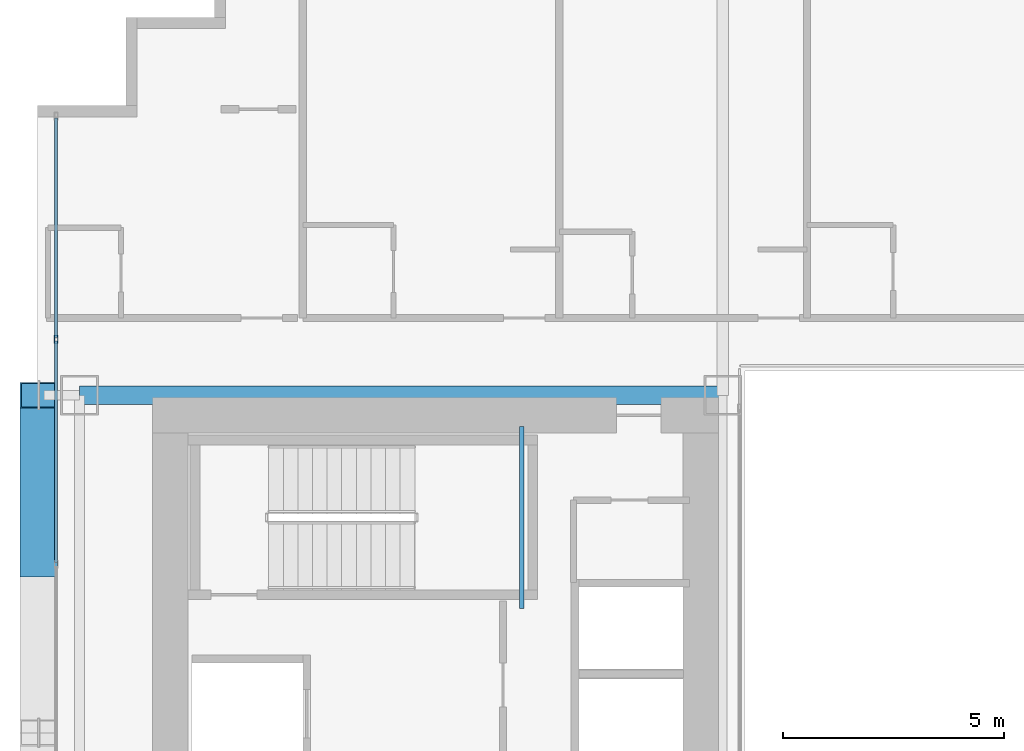
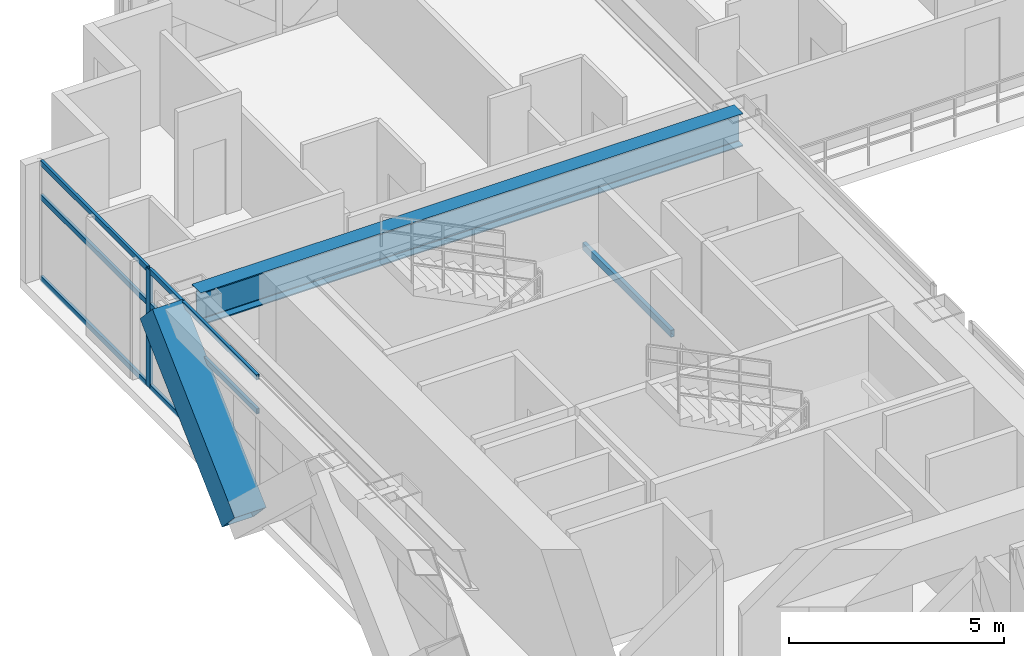
# One storey, part 19 of 41: 8 members, 2 beams, 1 element without a shape of its own.
"""IFC4 building model written with IfcOpenShell, lengths in metres."""

import ifcopenshell
import ifcopenshell.guid

model = None  # the IFC model being written
_history = None  # IfcOwnerHistory: only IFC2X3 demands one
_inside = {}  # id of a spatial element -> (the spatial element, [elements in it])
_under = {}  # id of a project, library or spatial element -> (it, [spatial elements below it])
_declared = {}  # id of a project -> (the project, [libraries it declares])
_typed = {}  # id of a type object -> (the type object, [elements of that type])
_made_of = {}  # id of a material, layer set ... -> (it, [elements and type objects made of it])


def new_model(schema):
    """Start an empty IFC model of exactly this schema.

    Asked for "IFC4X3", IfcOpenShell would pick the latest addendum, in which some entities
    have other attributes; the version numbers below select the first issue.
    IFC2X3 requires an IfcOwnerHistory on every rooted entity: one is made here for all.
    """
    global model, _history
    if schema == "IFC4X3":
        model = ifcopenshell.file(schema_version=(4, 3, 0, 0))
    else:
        model = ifcopenshell.file(schema=schema)
    _inside.clear()
    _under.clear()
    _declared.clear()
    _typed.clear()
    _made_of.clear()
    _history = None
    if model.schema == "IFC2X3":
        org = make("IfcOrganization", Name="unknown")
        user = make(
            "IfcPersonAndOrganization",
            ThePerson=make("IfcPerson", FamilyName="unknown"),
            TheOrganization=org,
        )
        app = make(
            "IfcApplication",
            ApplicationDeveloper=org,
            Version="unknown",
            ApplicationFullName="unknown",
            ApplicationIdentifier="unknown",
        )
        _history = make(
            "IfcOwnerHistory",
            OwningUser=user,
            OwningApplication=app,
            ChangeAction="ADDED",
            CreationDate=0,
        )
    return model


def make(cls, **values):
    """One entity of the class cls with the attributes given. An attribute that is None is left unset."""
    return model.create_entity(
        cls, **{name: value for name, value in values.items() if value is not None}
    )


def rooted(cls, **values):
    """An entity with a GlobalId (a new one), such as an element, a storey or a relation."""
    return make(cls, GlobalId=ifcopenshell.guid.new(), OwnerHistory=_history, **values)


def si_unit(unit_type, name, prefix=None):
    """IfcSIUnit, for example si_unit("LENGTHUNIT", "METRE", prefix="MILLI")."""
    return make("IfcSIUnit", UnitType=unit_type, Prefix=prefix, Name=name)


def assignment(units):
    """IfcUnitAssignment: the units of a project."""
    return None if units is None else make("IfcUnitAssignment", Units=units)


def point(xyz):
    """IfcCartesianPoint."""
    return None if xyz is None else make("IfcCartesianPoint", Coordinates=xyz)


def direction(xyz):
    """IfcDirection."""
    return None if xyz is None else make("IfcDirection", DirectionRatios=xyz)


def frame(location, z_axis=None, x_axis=None):
    """IfcAxis2Placement3D, a coordinate frame: its origin and axes. An axis left out is left unset."""
    return make(
        "IfcAxis2Placement3D",
        Location=point(location),
        Axis=direction(z_axis),
        RefDirection=direction(x_axis),
    )


def frame_2d(location, x_axis=None):
    """IfcAxis2Placement2D, a coordinate frame in the plane: its origin and x axis."""
    return make(
        "IfcAxis2Placement2D", Location=point(location), RefDirection=direction(x_axis)
    )


def origin():
    """The frame at (0, 0, 0) with its axes left unset."""
    return frame((0.0, 0.0, 0.0))


def origin_2d():
    """The frame at (0, 0) in the plane with its x axis left unset."""
    return frame_2d((0.0, 0.0))


def place(relative_to, where):
    """IfcLocalPlacement: puts the frame where relative to a parent placement (None: the world)."""
    return make(
        "IfcLocalPlacement", PlacementRelTo=relative_to, RelativePlacement=where
    )


def context(
    kind, dimensions, precision=None, world=None, true_north=None, identifier=None
):
    """IfcGeometricRepresentationContext, for example the 3D "Model" context."""
    return make(
        "IfcGeometricRepresentationContext",
        ContextIdentifier=identifier,
        ContextType=kind,
        CoordinateSpaceDimension=dimensions,
        Precision=precision,
        WorldCoordinateSystem=world,
        TrueNorth=true_north,
    )


def subcontext(parent, identifier, kind, view, scale=None):
    """IfcGeometricRepresentationSubContext, for example "Body" below "Model"."""
    return make(
        "IfcGeometricRepresentationSubContext",
        ContextIdentifier=identifier,
        ContextType=kind,
        ParentContext=parent,
        TargetScale=scale,
        TargetView=view,
    )


def project(units=None, contexts=None):
    """IfcProject with its units and contexts."""
    return rooted(
        "IfcProject",
        Name="project",
        RepresentationContexts=contexts,
        UnitsInContext=assignment(units),
    )


def spatial(cls, under=None, at=None, **own):
    """A site, building, storey or space (cls), placed at a placement, below another one or the project."""
    s = rooted(cls, ObjectPlacement=at, **own)
    if under is not None:
        _under.setdefault(under.id(), (under, []))[1].append(s)
    return s


def profile(cls, at=None, kind="AREA", **sizes):
    """A parametric profile (cls). Its sizes go by their IFC names, for example OverallWidth=200.0."""
    return make(cls, ProfileType=kind, Position=at, **sizes)


def hollow_rectangle(**sizes):
    """IfcRectangleHollowProfileDef."""
    return profile("IfcRectangleHollowProfileDef", **sizes)


def i_section(**sizes):
    """IfcIShapeProfileDef."""
    return profile("IfcIShapeProfileDef", **sizes)


def extrude(swept, where, along, depth):
    """IfcExtrudedAreaSolid: the profile swept, set in the frame where, extruded along a direction by depth."""
    return make(
        "IfcExtrudedAreaSolid",
        SweptArea=swept,
        Position=where,
        ExtrudedDirection=direction(along),
        Depth=depth,
    )


def shape(context_of_items, identifier, shape_type, items):
    """IfcShapeRepresentation: the items that make up one representation, for example the "Body"."""
    return make(
        "IfcShapeRepresentation",
        ContextOfItems=context_of_items,
        RepresentationIdentifier=identifier,
        RepresentationType=shape_type,
        Items=items,
    )


def source(mapping_origin, context_of_items, identifier, shape_type, items):
    """IfcRepresentationMap: a shape defined once, which mapped items show again and again."""
    return make(
        "IfcRepresentationMap",
        MappingOrigin=mapping_origin,
        MappedRepresentation=shape(context_of_items, identifier, shape_type, items),
    )


def transform(
    local_origin,
    x_axis=None,
    y_axis=None,
    z_axis=None,
    scale=None,
    scale2=None,
    scale3=None,
    uniform=True,
):
    """IfcCartesianTransformationOperator3D, or its non-uniform kind. x_axis, y_axis, z_axis: its Axis1, 2, 3."""
    if uniform:
        return make(
            "IfcCartesianTransformationOperator3D",
            Axis1=direction(x_axis),
            Axis2=direction(y_axis),
            LocalOrigin=point(local_origin),
            Scale=scale,
            Axis3=direction(z_axis),
        )
    return make(
        "IfcCartesianTransformationOperator3DnonUniform",
        Axis1=direction(x_axis),
        Axis2=direction(y_axis),
        LocalOrigin=point(local_origin),
        Scale=scale,
        Axis3=direction(z_axis),
        Scale2=scale2,
        Scale3=scale3,
    )


def mapped(mapping_source, mapping_target):
    """IfcMappedItem: shows the shape of a source again, moved by a transform."""
    return make(
        "IfcMappedItem", MappingSource=mapping_source, MappingTarget=mapping_target
    )


def material(Name=None, Category=None):
    """IfcMaterial."""
    return make("IfcMaterial", Name=Name, Category=Category)


def layer(
    of_material, thickness, ventilated=None, Name=None, Category=None, Priority=None
):
    """IfcMaterialLayer: one layer of a wall or slab, of a material (None: an air gap)."""
    return make(
        "IfcMaterialLayer",
        Material=of_material,
        LayerThickness=thickness,
        IsVentilated=ventilated,
        Name=Name,
        Category=Category,
        Priority=Priority,
    )


def layer_set(layers, Name=None):
    """IfcMaterialLayerSet."""
    return make("IfcMaterialLayerSet", MaterialLayers=layers, LayerSetName=Name)


def material_profile(
    of_material, cross_section, Name=None, Category=None, Priority=None
):
    """IfcMaterialProfile: a cross section and its material."""
    return make(
        "IfcMaterialProfile",
        Name=Name,
        Material=of_material,
        Profile=cross_section,
        Priority=Priority,
        Category=Category,
    )


def profile_set(profiles, Name=None, composite=None):
    """IfcMaterialProfileSet."""
    return make(
        "IfcMaterialProfileSet",
        Name=Name,
        MaterialProfiles=profiles,
        CompositeProfile=composite,
    )


def made_of(thing, what):
    """Note that an element or type object is made of a material, layer set ...; save() writes the relation."""
    if what is not None:
        _made_of.setdefault(what.id(), (what, []))[1].append(thing)
    return thing


def type_object(cls, material=None, **own):
    """A type object (cls), such as IfcWallType, which elements share."""
    return made_of(rooted(cls, **own), material)


def element(
    cls,
    number,
    at=None,
    inside=None,
    cuts=None,
    type_object=None,
    material=None,
    context=None,
    identifier="Body",
    shape_type=None,
    held_by="IfcProductDefinitionShape",
    body=None,
    shapes=None,
    **own,
):
    """One element of the class cls, such as IfcWall. Its Tag is "e" and its number.

    at: its placement. inside: the storey or other place that contains it. cuts: it is an
    opening in that element (IfcRelVoidsElement). A single representation is given by context,
    identifier, shape_type and body (its items); several are given by shapes. held_by: the class
    of the entity that holds the representations. save() writes the other relations.
    """
    e = rooted(cls, Tag="e%d" % number, ObjectPlacement=at, **own)
    if body is not None:
        shapes = [shape(context, identifier, shape_type, body)]
    if shapes is not None:
        e.Representation = make(held_by, Representations=shapes)
    if inside is not None:
        _inside.setdefault(inside.id(), (inside, []))[1].append(e)
    if cuts is not None:
        rooted(
            "IfcRelVoidsElement", RelatingBuildingElement=cuts, RelatedOpeningElement=e
        )
    if type_object is not None:
        _typed.setdefault(type_object.id(), (type_object, []))[1].append(e)
    return made_of(e, material)


def aggregate(whole, parts):
    """IfcRelAggregates: a whole, such as a stair, and the parts it consists of."""
    return rooted("IfcRelAggregates", RelatingObject=whole, RelatedObjects=parts)


def save(model, path):
    """Write the relations noted so far, then the file.

    IfcRelAggregates (storeys below a building ...), IfcRelContainedInSpatialStructure (elements
    in a storey), IfcRelDefinesByType, IfcRelAssociatesMaterial and IfcRelDeclares: one each for
    every whole, place, type object, material and project.
    """
    for whole, parts in _under.values():
        aggregate(whole, parts)
    for where, things in _inside.values():
        rooted(
            "IfcRelContainedInSpatialStructure",
            RelatedElements=things,
            RelatingStructure=where,
        )
    for kind, things in _typed.values():
        rooted("IfcRelDefinesByType", RelatedObjects=things, RelatingType=kind)
    for what, things in _made_of.values():
        rooted("IfcRelAssociatesMaterial", RelatedObjects=things, RelatingMaterial=what)
    for by, libraries in _declared.values():
        rooted("IfcRelDeclares", RelatingContext=by, RelatedDefinitions=libraries)
    model.write(path)


model = new_model("IFC4")

# Units and contexts
model_context = context("Model", 3, precision=1e-05, world=origin(), true_north=direction((0.0, 1.0)))
body_context = subcontext(model_context, "Body", "Model", "MODEL_VIEW")
ifc_project = project(units=[si_unit("LENGTHUNIT", "METRE"), si_unit("AREAUNIT", "SQUARE_METRE"), si_unit("VOLUMEUNIT", "CUBIC_METRE"), si_unit("PLANEANGLEUNIT", "RADIAN"), si_unit("MASSUNIT", "GRAM", prefix="KILO")], contexts=[model_context])

# Site, building, storey
site_placement = place(None, origin())
site = spatial("IfcSite", under=ifc_project, at=site_placement, CompositionType="ELEMENT")
building_placement = place(site_placement, origin())
building = spatial("IfcBuilding", under=site, at=building_placement, Name="Ocotamira Hotel", CompositionType="ELEMENT")
storey_placement = place(building_placement, frame((0.0, 0.0, 52.800048828125)))
storey = spatial("IfcBuildingStorey", under=building, at=storey_placement, Name="L12", CompositionType="ELEMENT", Elevation=52.800048828125)

# Beams
ifc_material_1 = material(Name="Steel ASTM A500 Grade C", Category="steel")
ifc_material_profile_1 = material_profile(ifc_material_1, hollow_rectangle(XDim=0.10009765625, YDim=0.199951171875, WallThickness=0.008056640625, at=origin_2d()), Name="HSS200X100X8")
ifc_profile_set_1 = profile_set([ifc_material_profile_1], Name="Steel ASTM A500 Grade C")
beam_type_1 = type_object("IfcBeamType", Name="BM-STLDG-HSS200", PredefinedType="BEAM", material=ifc_profile_set_1)
shared_shape_1 = source(origin(), body_context, "Body", "SweptSolid", [
    extrude(hollow_rectangle(XDim=0.10009765625, YDim=0.199951171875, WallThickness=0.008056640625, at=origin_2d()), origin(), (0.0, 0.0, 1.0), 4.1201171875),
])
beam_1_placement = place(storey_placement, frame((18.949951171875, 32.6298828125, 1.5), z_axis=(0.0, 1.0, 0.0), x_axis=(-1.0, 0.0, 0.0)))
element("IfcBeam", 1, at=beam_1_placement, inside=storey, type_object=beam_type_1, Name="L12 Stair ST-2 Landing Bearer 1", PredefinedType="BEAM", context=body_context, shape_type="MappedRepresentation", body=[
    mapped(shared_shape_1, transform((0.0, 0.0, 0.0), scale=1.0)),
])
ifc_material_2 = material(Name="Steel ASTM A992 Grade 50", Category="steel")
ifc_material_profile_2 = material_profile(ifc_material_2, i_section(OverallWidth=0.41796875, OverallDepth=0.927001953125, WebThickness=0.019287109375, FlangeThickness=0.031982421875, FilletRadius=0.02392578125, at=origin_2d()), Name="W36X231")
ifc_profile_set_2 = profile_set([ifc_material_profile_2], Name="Steel ASTM A992 Grade 50")
beam_type_2 = type_object("IfcBeamType", Name="BM-GIRD-W36X231", PredefinedType="BEAM", material=ifc_profile_set_2)
shared_shape_2 = source(origin(), body_context, "Body", "SweptSolid", [
    extrude(i_section(OverallWidth=0.41796875, OverallDepth=0.927001953125, WebThickness=0.019287109375, FlangeThickness=0.031982421875, FilletRadius=0.02392578125, at=origin_2d()), origin(), (0.0, 0.0, 1.0), 14.550048828125),
])
beam_2_placement = place(storey_placement, frame((8.949951171875, 37.449951171875, 2.886474609375), z_axis=(1.0, 0.0, 0.0), x_axis=(0.0, 1.0, 0.0)))
element("IfcBeam", 2, at=beam_2_placement, inside=storey, type_object=beam_type_2, Name="L12 Girder Y37.45 X8.95-23.5", PredefinedType="BEAM", context=body_context, shape_type="MappedRepresentation", body=[
    mapped(shared_shape_2, transform((0.0, 0.0, 0.0), scale=1.0)),
])

# Member
ifc_material_3 = material(Name="Pale-metal coated steel ASTM A913 Grade 65", Category="steel")
ifc_material_profile_3 = material_profile(ifc_material_3, hollow_rectangle(XDim=0.85009765625, YDim=0.85009765625, WallThickness=0.035888671875, at=origin_2d()), Name="BOX850X850X36")
ifc_profile_set_3 = profile_set([ifc_material_profile_3], Name="Pale-metal coated steel ASTM A913 Grade 65")
member_type_1 = type_object("IfcMemberType", Name="MEM-EXO-BOX850", PredefinedType="BRACE", material=ifc_profile_set_3)
shared_shape_3 = source(origin(), body_context, "Body", "SweptSolid", [
    extrude(hollow_rectangle(XDim=0.85009765625, YDim=0.85009765625, WallThickness=0.035888671875, at=origin_2d()), origin(), (0.0, 0.0, 1.0), 5.24658203125),
])
member_1_placement = place(storey_placement, frame((8.030029296875, 33.63330078125, -0.5), z_axis=(0.0, 0.72746596067, 0.686143772154), x_axis=(-1.0, 0.0, 0.0)))
element("IfcMember", 3, at=member_1_placement, inside=storey, type_object=member_type_1, Name="L12 Exoskeleton Diagrid W2.2", PredefinedType="BRACE", context=body_context, shape_type="MappedRepresentation", body=[
    mapped(shared_shape_3, transform((0.0, 0.0, 0.0), scale=1.0)),
])

# Curtain wall, members
ifc_material_4 = material(Name="Anodised pale-metal aluminium and solar glass", Category="aluminium")
ifc_layer = layer(ifc_material_4, 0.179931640625)
ifc_layer_set = layer_set([ifc_layer], Name="Anodised pale-metal aluminium and solar glass")
curtain_wall_type = type_object("IfcCurtainWallType", Name="CW-SYS2-Z1", PredefinedType="NOTDEFINED", material=ifc_layer_set)
curtain_wall_placement = place(storey_placement, origin())
curtain_wall = element("IfcCurtainWall", 4, at=curtain_wall_placement, inside=storey, type_object=curtain_wall_type, Name="L12 Curtain Wall CW-2 CW-L12-W", PredefinedType="NOTDEFINED")
ifc_material_5 = material(Name="Anodised pale-metal aluminium 6063-T6", Category="aluminium")
ifc_material_profile_4 = material_profile(ifc_material_5, hollow_rectangle(XDim=0.080078125, YDim=0.179931640625, WallThickness=0.006103515625, at=origin_2d()), Name="HSS180X80X6")
ifc_profile_set_4 = profile_set([ifc_material_profile_4], Name="Anodised pale-metal aluminium 6063-T6")
member_type_2 = type_object("IfcMemberType", Name="CWM-180X75", PredefinedType="MULLION", material=ifc_profile_set_4)
shared_shape_4 = source(origin(), body_context, "Body", "SweptSolid", [
    extrude(hollow_rectangle(XDim=0.080078125, YDim=0.179931640625, WallThickness=0.006103515625, at=origin_2d()), origin(), (0.0, 0.0, 1.0), 3.349853515625),
])
member_2_placement = place(storey_placement, frame((8.419921875, 38.71435546875, 0.0), z_axis=(0.0, 0.0, 1.0), x_axis=(-1.0, 0.0, 0.0)))
member_2 = element("IfcMember", 5, at=member_2_placement, type_object=member_type_2, Name="CW-2 mullion 7", PredefinedType="MULLION", context=body_context, shape_type="MappedRepresentation", body=[
    mapped(shared_shape_4, transform((0.0, 0.0, 0.0), scale=1.0)),
])
ifc_material_profile_5 = material_profile(ifc_material_5, hollow_rectangle(XDim=0.074951171875, YDim=0.14990234375, WallThickness=0.006103515625, at=origin_2d()), Name="HSS150X75X6")
ifc_profile_set_5 = profile_set([ifc_material_profile_5], Name="Anodised pale-metal aluminium 6063-T6")
member_type_3 = type_object("IfcMemberType", Name="CWT-150X75", PredefinedType="USERDEFINED", material=ifc_profile_set_5)
shared_shape_5 = source(origin(), body_context, "Body", "SweptSolid", [
    extrude(hollow_rectangle(XDim=0.074951171875, YDim=0.14990234375, WallThickness=0.006103515625, at=origin_2d()), origin(), (0.0, 0.0, 1.0), 4.965576171875),
])
member_3_placement = place(storey_placement, frame((8.419921875, 38.75439453125, 0.037353515625), z_axis=(0.0, 1.0, 0.0), x_axis=(-1.0, 0.0, 0.0)))
member_3 = element("IfcMember", 6, at=member_3_placement, type_object=member_type_3, Name="CW-2 transom 7.1", ObjectType="TRANSOM", PredefinedType="USERDEFINED", context=body_context, shape_type="MappedRepresentation", body=[
    mapped(shared_shape_5, transform((0.0, 0.0, 0.0), scale=1.0)),
])
member_4_placement = place(storey_placement, frame((8.419921875, 38.75439453125, 2.349853515625), z_axis=(0.0, 1.0, 0.0), x_axis=(-1.0, 0.0, 0.0)))
member_4 = element("IfcMember", 7, at=member_4_placement, type_object=member_type_3, Name="CW-2 transom 7.2", ObjectType="TRANSOM", PredefinedType="USERDEFINED", context=body_context, shape_type="MappedRepresentation", body=[
    mapped(shared_shape_5, transform((0.0, 0.0, 0.0), scale=1.0)),
])
member_5_placement = place(storey_placement, frame((8.419921875, 38.75439453125, 3.3125), z_axis=(0.0, 1.0, 0.0), x_axis=(-1.0, 0.0, 0.0)))
member_5 = element("IfcMember", 8, at=member_5_placement, type_object=member_type_3, Name="CW-2 transom 7.3", ObjectType="TRANSOM", PredefinedType="USERDEFINED", context=body_context, shape_type="MappedRepresentation", body=[
    mapped(shared_shape_5, transform((0.0, 0.0, 0.0), scale=1.0)),
])
shared_shape_6 = source(origin(), body_context, "Body", "SweptSolid", [
    extrude(hollow_rectangle(XDim=0.074951171875, YDim=0.14990234375, WallThickness=0.006103515625, at=origin_2d()), origin(), (0.0, 0.0, 1.0), 5.005859375),
])
member_6_placement = place(storey_placement, frame((8.419921875, 33.66845703125, 0.037353515625), z_axis=(0.0, 1.0, 0.0), x_axis=(-1.0, 0.0, 0.0)))
member_6 = element("IfcMember", 9, at=member_6_placement, type_object=member_type_3, Name="CW-2 transom 6.1", ObjectType="TRANSOM", PredefinedType="USERDEFINED", context=body_context, shape_type="MappedRepresentation", body=[
    mapped(shared_shape_6, transform((0.0, 0.0, 0.0), scale=1.0)),
])
member_7_placement = place(storey_placement, frame((8.419921875, 33.66845703125, 2.349853515625), z_axis=(0.0, 1.0, 0.0), x_axis=(-1.0, 0.0, 0.0)))
member_7 = element("IfcMember", 10, at=member_7_placement, type_object=member_type_3, Name="CW-2 transom 6.2", ObjectType="TRANSOM", PredefinedType="USERDEFINED", context=body_context, shape_type="MappedRepresentation", body=[
    mapped(shared_shape_6, transform((0.0, 0.0, 0.0), scale=1.0)),
])
member_8_placement = place(storey_placement, frame((8.419921875, 33.66845703125, 3.3125), z_axis=(0.0, 1.0, 0.0), x_axis=(-1.0, 0.0, 0.0)))
member_8 = element("IfcMember", 11, at=member_8_placement, type_object=member_type_3, Name="CW-2 transom 6.3", ObjectType="TRANSOM", PredefinedType="USERDEFINED", context=body_context, shape_type="MappedRepresentation", body=[
    mapped(shared_shape_6, transform((0.0, 0.0, 0.0), scale=1.0)),
])
aggregate(curtain_wall, [member_2, member_6, member_7, member_8, member_3, member_4, member_5])

save(model, "model.ifc")
